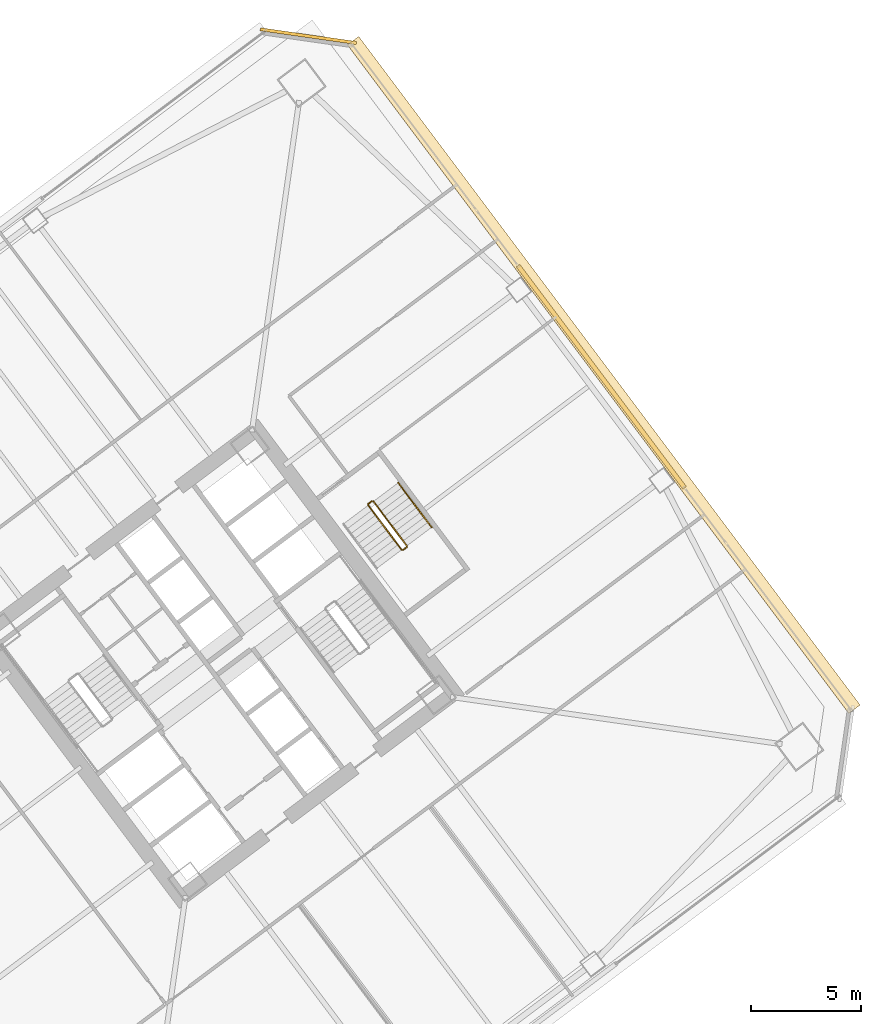
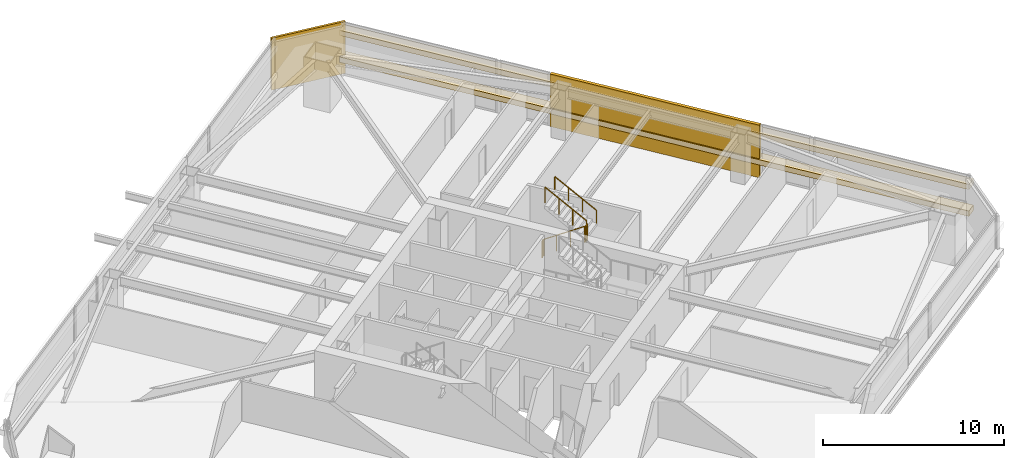
# One storey, part 46 of 46: 5 railings, 4 coverings.
"""IFC4 building model written with IfcOpenShell, lengths in metres."""

from ifc_helpers import new_model, si_unit, direction, frame, origin, origin_2d, place, context, subcontext, project, spatial, rectangle, extrude, material, layer, layer_set, type_object, element, save


model = new_model("IFC4")

# Units and contexts
model_context = context("Model", 3, precision=1e-05, world=origin(), true_north=direction((0.0, 1.0)))
body_context = subcontext(model_context, "Body", "Model", "MODEL_VIEW")
ifc_project = project(units=[si_unit("LENGTHUNIT", "METRE"), si_unit("AREAUNIT", "SQUARE_METRE"), si_unit("VOLUMEUNIT", "CUBIC_METRE"), si_unit("PLANEANGLEUNIT", "RADIAN"), si_unit("MASSUNIT", "GRAM", prefix="KILO")], contexts=[model_context])

# Site, building, storey
site_placement = place(None, origin())
site = spatial("IfcSite", under=ifc_project, at=site_placement, CompositionType="ELEMENT")
building_placement = place(site_placement, origin())
building = spatial("IfcBuilding", under=site, at=building_placement, Name="Tashvorn Skyway Center", CompositionType="ELEMENT")
storey_placement = place(building_placement, frame((0.0, 0.0, 31.699951171875)))
storey = spatial("IfcBuildingStorey", under=building, at=storey_placement, Name="L07", CompositionType="ELEMENT", Elevation=31.699951171875)

# Coverings
ifc_material_1 = material(Name="Precast concrete C40/50", Category="concrete")
ifc_layer_1 = layer(ifc_material_1, 0.199951171875)
ifc_layer_set_1 = layer_set([ifc_layer_1], Name="Precast concrete C40/50")
covering_type_1 = type_object("IfcCoveringType", Name="COV-BRACE-CLAD", PredefinedType="CLADDING", material=ifc_layer_set_1)
covering_1_placement = place(storey_placement, frame((131.343994140625, 45.008056640625, 0.0), z_axis=(0.0, 0.0, 1.0), x_axis=(0.600000004945, -0.799999996291, 0.0)))
element("IfcCovering", 1, at=covering_1_placement, inside=storey, type_object=covering_type_1, Name="Tower 2 L07 East Unitised Curtain Wall Mega-Brace Cladding Band 1", PredefinedType="CLADDING", context=body_context, shape_type="SweptSolid", body=[
    extrude(rectangle(XDim=12.586669921875, YDim=0.199951171875, at=origin_2d()), origin(), (0.0, 0.0, 1.0), 3.550048828125),
])
ifc_material_2 = material(Name="Perforated ceramic-coated bronze aluminium solar screen", Category="aluminium")
ifc_layer_2 = layer(ifc_material_2, 0.85009765625)
ifc_layer_set_2 = layer_set([ifc_layer_2], Name="Perforated ceramic-coated bronze aluminium solar screen")
covering_type_2 = type_object("IfcCoveringType", Name="COV-SOLAR-BAND", PredefinedType="CLADDING", material=ifc_layer_set_2)
for number, where, z_axis, x_axis, name in (
    (2, (131.4560546875, 45.092041015625, 0.919921875), (0.0, 0.0, 1.0), (0.600000004945, -0.799999996291, 0.0), "L07 Perforated Ceramic-Metal Solar Screen Louvre Band East 1"),
    (3, (131.4560546875, 45.092041015625, 2.72021484375), (0.0, 0.0, 1.0), (0.600000004945, -0.799999996291, 0.0), "L07 Perforated Ceramic-Metal Solar Screen Louvre Band East 2"),
):
    element("IfcCovering", number, at=place(storey_placement, frame(where, z_axis=z_axis, x_axis=x_axis)), inside=storey, type_object=covering_type_2, Name=name, PredefinedType="CLADDING", context=body_context, shape_type="SweptSolid", body=[
        extrude(rectangle(XDim=37.8798828125, YDim=0.639892578125, at=origin_2d()), origin(), (0.0, 0.0, 1.0), 0.360107421875),
    ])
ifc_layer_3 = layer(ifc_material_1, 0.35009765625)
ifc_layer_set_3 = layer_set([ifc_layer_3], Name="Precast concrete C40/50")
covering_type_3 = type_object("IfcCoveringType", Name="COV-STONE-TRIM", PredefinedType="CLADDING", material=ifc_layer_set_3)
covering_2_placement = place(storey_placement, frame((118.06396484375, 60.447998046875, 0.02001953125), z_axis=(0.0, 0.0, 1.0), x_axis=(0.989949494535, -0.141421350118, 0.0)))
element("IfcCovering", 4, at=covering_2_placement, inside=storey, type_object=covering_type_3, Name="Tower 2 L07 NE Mojave Limestone Corner Quoin", PredefinedType="CLADDING", context=body_context, shape_type="SweptSolid", body=[
    extrude(rectangle(XDim=4.402587890625, YDim=0.139892578125, at=origin_2d()), origin(), (0.0, 0.0, 1.0), 3.510009765625),
])

# Railings
ifc_material_3 = material(Name="Brushed stainless steel 316", Category="steel")
railing_type_1 = type_object("IfcRailingType", Name="RAIL-HAND-920", PredefinedType="HANDRAIL", material=ifc_material_3)
railing_1_placement = place(storey_placement, frame((123.64794921875, 38.18603515625, 1.95263671875)))
element("IfcRailing", 5, at=railing_1_placement, inside=storey, type_object=railing_type_1, Name="L07 ST-T2-3 stair handrail 2", PredefinedType="HANDRAIL", context=body_context, shape_type="SweptSolid", body=[
    extrude(rectangle(XDim=0.048095703125, YDim=0.048095703125, at=origin_2d()), frame((0.0, 0.0, 0.8759765625), z_axis=(-0.506768818287, 0.675664481285, 0.535409071218), x_axis=(-0.79998837352, -0.60001550166, 0.0)), (0.0, 0.0, 1.0), 2.983642578125),
    extrude(rectangle(XDim=0.0419921875, YDim=0.0419921875, at=origin_2d()), origin(), (0.0, 0.0, 1.0), 0.851806640625),
    extrude(rectangle(XDim=0.0419921875, YDim=0.0419921875, at=origin_2d()), frame((-0.50390625, 0.671875, 0.532470703125)), (0.0, 0.0, 1.0), 0.851806640625),
    extrude(rectangle(XDim=0.0419921875, YDim=0.0419921875, at=origin_2d()), frame((-1.008056640625, 1.343994140625, 1.06494140625)), (0.0, 0.0, 1.0), 0.851806640625),
    extrude(rectangle(XDim=0.0419921875, YDim=0.0419921875, at=origin_2d()), frame((-1.511962890625, 2.015869140625, 1.597412109375)), (0.0, 0.0, 1.0), 0.851806640625),
])
ifc_material_4 = material(Name="Painted galvanized steel S355", Category="steel")
railing_type_2 = type_object("IfcRailingType", Name="RAIL-STGUARD-1100", PredefinedType="GUARDRAIL", material=ifc_material_4)
railing_2_placement = place(storey_placement, frame((120.77587890625, 39.181884765625, 0.177490234375)))
element("IfcRailing", 6, at=railing_2_placement, inside=storey, type_object=railing_type_2, Name="L07 ST-T2-3 stair guard 1", PredefinedType="GUARDRAIL", context=body_context, shape_type="SweptSolid", body=[
    extrude(rectangle(XDim=0.048095703125, YDim=0.048095703125, at=origin_2d()), frame((0.0, 0.0, 1.076171875), z_axis=(0.506807425148, -0.675606863004, 0.535445235739), x_axis=(0.799941867976, 0.600077501544, 0.0)), (0.0, 0.0, 1.0), 2.98388671875),
    extrude(rectangle(XDim=0.0419921875, YDim=0.0419921875, at=origin_2d()), origin(), (0.0, 0.0, 1.0), 1.052001953125),
    extrude(rectangle(XDim=0.0419921875, YDim=0.0419921875, at=origin_2d()), frame((0.504150390625, -0.671875, 0.532470703125)), (0.0, 0.0, 1.0), 1.052001953125),
    extrude(rectangle(XDim=0.0419921875, YDim=0.0419921875, at=origin_2d()), frame((1.008056640625, -1.343994140625, 1.065185546875)), (0.0, 0.0, 1.0), 1.052001953125),
    extrude(rectangle(XDim=0.0419921875, YDim=0.0419921875, at=origin_2d()), frame((1.51220703125, -2.015869140625, 1.59765625)), (0.0, 0.0, 1.0), 1.052001953125),
])
railing_3_placement = place(storey_placement, frame((122.35791015625, 37.156005859375, 1.775146484375)))
element("IfcRailing", 7, at=railing_3_placement, inside=storey, type_object=railing_type_2, Name="L07 ST-T2-3 stair guard 2", PredefinedType="GUARDRAIL", context=body_context, shape_type="SweptSolid", body=[
    extrude(rectangle(XDim=0.048095703125, YDim=0.048095703125, at=origin_2d()), frame((0.0, 0.0, 1.076171875), z_axis=(0.800585412921, 0.599218655098, 0.0), x_axis=(-0.599218655098, 0.800585412921, 0.0)), (0.0, 0.0, 1.0), 0.199951171875),
    extrude(rectangle(XDim=0.0419921875, YDim=0.0419921875, at=origin_2d()), origin(), (0.0, 0.0, 1.0), 1.052001953125),
    extrude(rectangle(XDim=0.0419921875, YDim=0.0419921875, at=origin_2d()), frame((0.16015625, 0.119873046875, 0.0)), (0.0, 0.0, 1.0), 1.052001953125),
])
railing_4_placement = place(storey_placement, frame((122.528076171875, 37.345947265625, 1.95263671875)))
element("IfcRailing", 8, at=railing_4_placement, inside=storey, type_object=railing_type_2, Name="L07 ST-T2-3 stair guard 3", PredefinedType="GUARDRAIL", context=body_context, shape_type="SweptSolid", body=[
    extrude(rectangle(XDim=0.048095703125, YDim=0.048095703125, at=origin_2d()), frame((0.0, 0.0, 1.076171875), z_axis=(-0.506740800098, 0.675708949977, 0.535379469569), x_axis=(-0.800023250257, -0.599968998406, 0.0)), (0.0, 0.0, 1.0), 2.983642578125),
    extrude(rectangle(XDim=0.0419921875, YDim=0.0419921875, at=origin_2d()), origin(), (0.0, 0.0, 1.0), 1.052001953125),
    extrude(rectangle(XDim=0.0419921875, YDim=0.0419921875, at=origin_2d()), frame((-0.50390625, 0.672119140625, 0.532470703125)), (0.0, 0.0, 1.0), 1.052001953125),
    extrude(rectangle(XDim=0.0419921875, YDim=0.0419921875, at=origin_2d()), frame((-1.008056640625, 1.343994140625, 1.06494140625)), (0.0, 0.0, 1.0), 1.052001953125),
    extrude(rectangle(XDim=0.0419921875, YDim=0.0419921875, at=origin_2d()), frame((-1.511962890625, 2.01611328125, 1.597412109375)), (0.0, 0.0, 1.0), 1.052001953125),
])
railing_5_placement = place(storey_placement, frame((120.785888671875, 39.251953125, 0.0)))
element("IfcRailing", 9, at=railing_5_placement, inside=storey, type_object=railing_type_2, Name="L07 ST-T2-3 stair guard 4", PredefinedType="GUARDRAIL", context=body_context, shape_type="SweptSolid", body=[
    extrude(rectangle(XDim=0.048095703125, YDim=0.048095703125, at=origin_2d()), frame((0.0, 0.0, 1.076171875), z_axis=(0.8, 0.6, 0.0), x_axis=(-0.6, 0.8, 0.0)), (0.0, 0.0, 1.0), 0.2001953125),
    extrude(rectangle(XDim=0.0419921875, YDim=0.0419921875, at=origin_2d()), origin(), (0.0, 0.0, 1.0), 1.052001953125),
    extrude(rectangle(XDim=0.0419921875, YDim=0.0419921875, at=origin_2d()), frame((0.16015625, 0.1201171875, 0.0)), (0.0, 0.0, 1.0), 1.052001953125),
])

save(model, "model.ifc")
